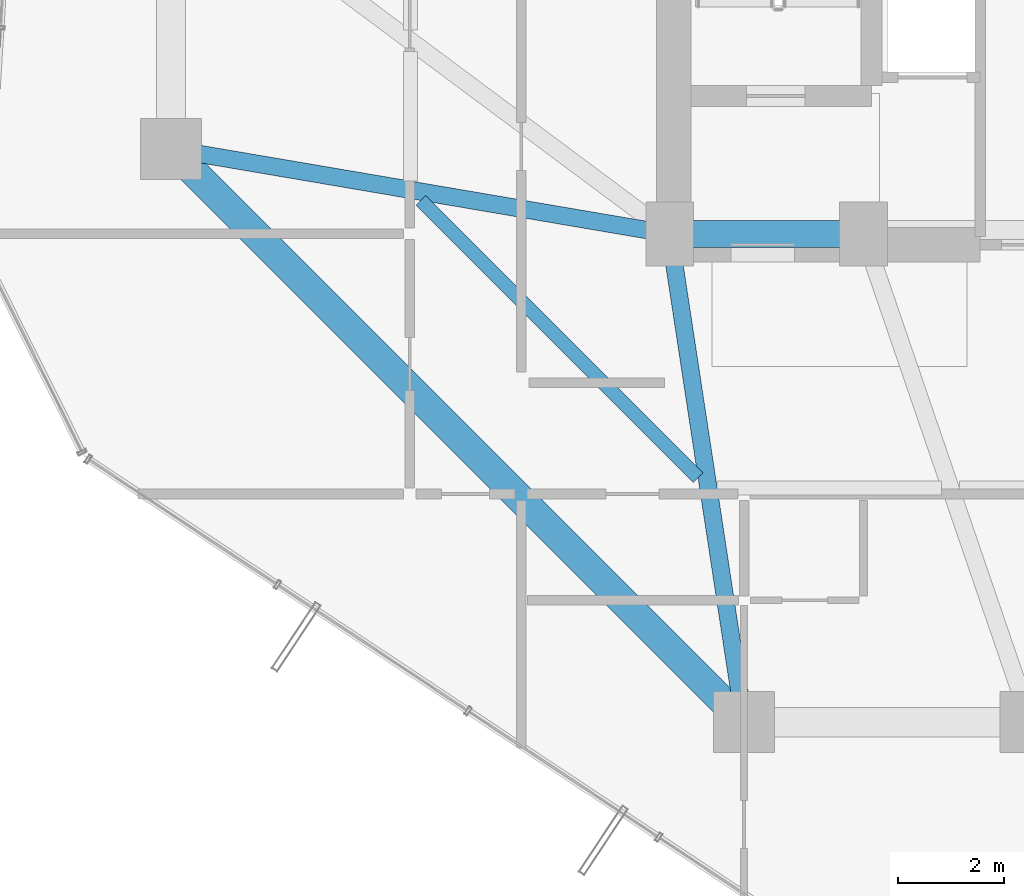
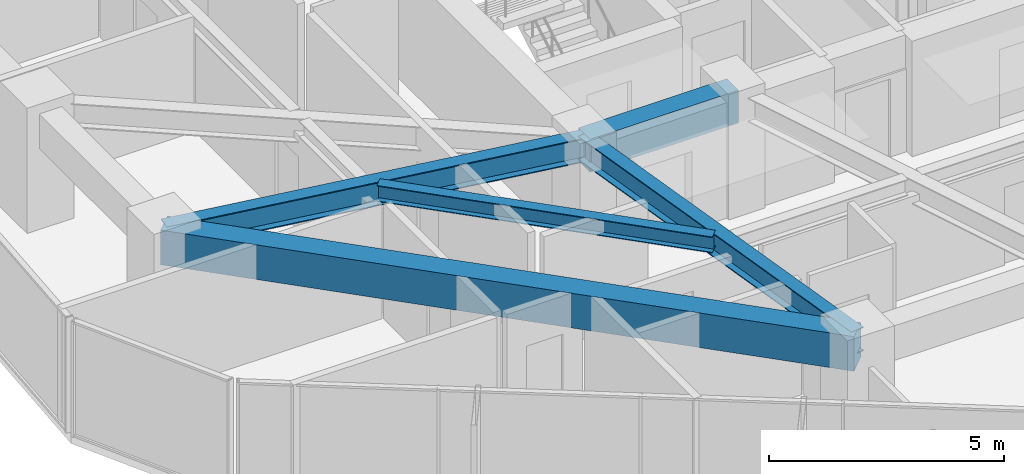
# One storey, part 5 of 30: 5 beams.
"""IFC4 building model written with IfcOpenShell, lengths in metres."""

import ifcopenshell
import ifcopenshell.guid

model = None  # the IFC model being written
_history = None  # IfcOwnerHistory: only IFC2X3 demands one
_inside = {}  # id of a spatial element -> (the spatial element, [elements in it])
_under = {}  # id of a project, library or spatial element -> (it, [spatial elements below it])
_declared = {}  # id of a project -> (the project, [libraries it declares])
_typed = {}  # id of a type object -> (the type object, [elements of that type])
_made_of = {}  # id of a material, layer set ... -> (it, [elements and type objects made of it])


def new_model(schema):
    """Start an empty IFC model of exactly this schema.

    Asked for "IFC4X3", IfcOpenShell would pick the latest addendum, in which some entities
    have other attributes; the version numbers below select the first issue.
    IFC2X3 requires an IfcOwnerHistory on every rooted entity: one is made here for all.
    """
    global model, _history
    if schema == "IFC4X3":
        model = ifcopenshell.file(schema_version=(4, 3, 0, 0))
    else:
        model = ifcopenshell.file(schema=schema)
    _inside.clear()
    _under.clear()
    _declared.clear()
    _typed.clear()
    _made_of.clear()
    _history = None
    if model.schema == "IFC2X3":
        org = make("IfcOrganization", Name="unknown")
        user = make(
            "IfcPersonAndOrganization",
            ThePerson=make("IfcPerson", FamilyName="unknown"),
            TheOrganization=org,
        )
        app = make(
            "IfcApplication",
            ApplicationDeveloper=org,
            Version="unknown",
            ApplicationFullName="unknown",
            ApplicationIdentifier="unknown",
        )
        _history = make(
            "IfcOwnerHistory",
            OwningUser=user,
            OwningApplication=app,
            ChangeAction="ADDED",
            CreationDate=0,
        )
    return model


def make(cls, **values):
    """One entity of the class cls with the attributes given. An attribute that is None is left unset."""
    return model.create_entity(
        cls, **{name: value for name, value in values.items() if value is not None}
    )


def rooted(cls, **values):
    """An entity with a GlobalId (a new one), such as an element, a storey or a relation."""
    return make(cls, GlobalId=ifcopenshell.guid.new(), OwnerHistory=_history, **values)


def si_unit(unit_type, name, prefix=None):
    """IfcSIUnit, for example si_unit("LENGTHUNIT", "METRE", prefix="MILLI")."""
    return make("IfcSIUnit", UnitType=unit_type, Prefix=prefix, Name=name)


def assignment(units):
    """IfcUnitAssignment: the units of a project."""
    return None if units is None else make("IfcUnitAssignment", Units=units)


def point(xyz):
    """IfcCartesianPoint."""
    return None if xyz is None else make("IfcCartesianPoint", Coordinates=xyz)


def direction(xyz):
    """IfcDirection."""
    return None if xyz is None else make("IfcDirection", DirectionRatios=xyz)


def frame(location, z_axis=None, x_axis=None):
    """IfcAxis2Placement3D, a coordinate frame: its origin and axes. An axis left out is left unset."""
    return make(
        "IfcAxis2Placement3D",
        Location=point(location),
        Axis=direction(z_axis),
        RefDirection=direction(x_axis),
    )


def frame_2d(location, x_axis=None):
    """IfcAxis2Placement2D, a coordinate frame in the plane: its origin and x axis."""
    return make(
        "IfcAxis2Placement2D", Location=point(location), RefDirection=direction(x_axis)
    )


def origin():
    """The frame at (0, 0, 0) with its axes left unset."""
    return frame((0.0, 0.0, 0.0))


def origin_2d():
    """The frame at (0, 0) in the plane with its x axis left unset."""
    return frame_2d((0.0, 0.0))


def place(relative_to, where):
    """IfcLocalPlacement: puts the frame where relative to a parent placement (None: the world)."""
    return make(
        "IfcLocalPlacement", PlacementRelTo=relative_to, RelativePlacement=where
    )


def context(
    kind, dimensions, precision=None, world=None, true_north=None, identifier=None
):
    """IfcGeometricRepresentationContext, for example the 3D "Model" context."""
    return make(
        "IfcGeometricRepresentationContext",
        ContextIdentifier=identifier,
        ContextType=kind,
        CoordinateSpaceDimension=dimensions,
        Precision=precision,
        WorldCoordinateSystem=world,
        TrueNorth=true_north,
    )


def subcontext(parent, identifier, kind, view, scale=None):
    """IfcGeometricRepresentationSubContext, for example "Body" below "Model"."""
    return make(
        "IfcGeometricRepresentationSubContext",
        ContextIdentifier=identifier,
        ContextType=kind,
        ParentContext=parent,
        TargetScale=scale,
        TargetView=view,
    )


def project(units=None, contexts=None):
    """IfcProject with its units and contexts."""
    return rooted(
        "IfcProject",
        Name="project",
        RepresentationContexts=contexts,
        UnitsInContext=assignment(units),
    )


def spatial(cls, under=None, at=None, **own):
    """A site, building, storey or space (cls), placed at a placement, below another one or the project."""
    s = rooted(cls, ObjectPlacement=at, **own)
    if under is not None:
        _under.setdefault(under.id(), (under, []))[1].append(s)
    return s


def profile(cls, at=None, kind="AREA", **sizes):
    """A parametric profile (cls). Its sizes go by their IFC names, for example OverallWidth=200.0."""
    return make(cls, ProfileType=kind, Position=at, **sizes)


def rectangle(**sizes):
    """IfcRectangleProfileDef."""
    return profile("IfcRectangleProfileDef", **sizes)


def i_section(**sizes):
    """IfcIShapeProfileDef."""
    return profile("IfcIShapeProfileDef", **sizes)


def extrude(swept, where, along, depth):
    """IfcExtrudedAreaSolid: the profile swept, set in the frame where, extruded along a direction by depth."""
    return make(
        "IfcExtrudedAreaSolid",
        SweptArea=swept,
        Position=where,
        ExtrudedDirection=direction(along),
        Depth=depth,
    )


def shape(context_of_items, identifier, shape_type, items):
    """IfcShapeRepresentation: the items that make up one representation, for example the "Body"."""
    return make(
        "IfcShapeRepresentation",
        ContextOfItems=context_of_items,
        RepresentationIdentifier=identifier,
        RepresentationType=shape_type,
        Items=items,
    )


def material(Name=None, Category=None):
    """IfcMaterial."""
    return make("IfcMaterial", Name=Name, Category=Category)


def material_profile(
    of_material, cross_section, Name=None, Category=None, Priority=None
):
    """IfcMaterialProfile: a cross section and its material."""
    return make(
        "IfcMaterialProfile",
        Name=Name,
        Material=of_material,
        Profile=cross_section,
        Priority=Priority,
        Category=Category,
    )


def profile_set(profiles, Name=None, composite=None):
    """IfcMaterialProfileSet."""
    return make(
        "IfcMaterialProfileSet",
        Name=Name,
        MaterialProfiles=profiles,
        CompositeProfile=composite,
    )


def made_of(thing, what):
    """Note that an element or type object is made of a material, layer set ...; save() writes the relation."""
    if what is not None:
        _made_of.setdefault(what.id(), (what, []))[1].append(thing)
    return thing


def type_object(cls, material=None, **own):
    """A type object (cls), such as IfcWallType, which elements share."""
    return made_of(rooted(cls, **own), material)


def element(
    cls,
    number,
    at=None,
    inside=None,
    cuts=None,
    type_object=None,
    material=None,
    context=None,
    identifier="Body",
    shape_type=None,
    held_by="IfcProductDefinitionShape",
    body=None,
    shapes=None,
    **own,
):
    """One element of the class cls, such as IfcWall. Its Tag is "e" and its number.

    at: its placement. inside: the storey or other place that contains it. cuts: it is an
    opening in that element (IfcRelVoidsElement). A single representation is given by context,
    identifier, shape_type and body (its items); several are given by shapes. held_by: the class
    of the entity that holds the representations. save() writes the other relations.
    """
    e = rooted(cls, Tag="e%d" % number, ObjectPlacement=at, **own)
    if body is not None:
        shapes = [shape(context, identifier, shape_type, body)]
    if shapes is not None:
        e.Representation = make(held_by, Representations=shapes)
    if inside is not None:
        _inside.setdefault(inside.id(), (inside, []))[1].append(e)
    if cuts is not None:
        rooted(
            "IfcRelVoidsElement", RelatingBuildingElement=cuts, RelatedOpeningElement=e
        )
    if type_object is not None:
        _typed.setdefault(type_object.id(), (type_object, []))[1].append(e)
    return made_of(e, material)


def aggregate(whole, parts):
    """IfcRelAggregates: a whole, such as a stair, and the parts it consists of."""
    return rooted("IfcRelAggregates", RelatingObject=whole, RelatedObjects=parts)


def save(model, path):
    """Write the relations noted so far, then the file.

    IfcRelAggregates (storeys below a building ...), IfcRelContainedInSpatialStructure (elements
    in a storey), IfcRelDefinesByType, IfcRelAssociatesMaterial and IfcRelDeclares: one each for
    every whole, place, type object, material and project.
    """
    for whole, parts in _under.values():
        aggregate(whole, parts)
    for where, things in _inside.values():
        rooted(
            "IfcRelContainedInSpatialStructure",
            RelatedElements=things,
            RelatingStructure=where,
        )
    for kind, things in _typed.values():
        rooted("IfcRelDefinesByType", RelatedObjects=things, RelatingType=kind)
    for what, things in _made_of.values():
        rooted("IfcRelAssociatesMaterial", RelatedObjects=things, RelatingMaterial=what)
    for by, libraries in _declared.values():
        rooted("IfcRelDeclares", RelatingContext=by, RelatedDefinitions=libraries)
    model.write(path)


model = new_model("IFC4")

# Units and contexts
model_context = context("Model", 3, precision=1e-05, world=origin(), true_north=direction((0.0, 1.0)))
body_context = subcontext(model_context, "Body", "Model", "MODEL_VIEW")
ifc_project = project(units=[si_unit("LENGTHUNIT", "METRE"), si_unit("AREAUNIT", "SQUARE_METRE"), si_unit("VOLUMEUNIT", "CUBIC_METRE"), si_unit("PLANEANGLEUNIT", "RADIAN"), si_unit("MASSUNIT", "GRAM", prefix="KILO")], contexts=[model_context])

# Site, building, storey
site_placement = place(None, origin())
site = spatial("IfcSite", under=ifc_project, at=site_placement, CompositionType="ELEMENT")
building_placement = place(site_placement, origin())
building = spatial("IfcBuilding", under=site, at=building_placement, Name="Veraguas Prism Commons", CompositionType="ELEMENT")
storey_placement = place(building_placement, frame((0.0, 0.0, 116.5)))
storey = spatial("IfcBuildingStorey", under=building, at=storey_placement, Name="L32", CompositionType="ELEMENT", Elevation=116.5)

# Beams
ifc_material_1 = material(Name="Concrete C50/60", Category="concrete")
ifc_material_profile_1 = material_profile(ifc_material_1, rectangle(XDim=0.5, YDim=0.85009765625, at=origin_2d()), Name="RC500X850")
ifc_profile_set_1 = profile_set([ifc_material_profile_1], Name="Concrete C50/60")
beam_type_1 = type_object("IfcBeamType", Name="Core Coupling Beam RC 500x850", PredefinedType="BEAM", material=ifc_profile_set_1)
beam_1_placement = place(storey_placement, frame((17.199951171875, 17.0, 2.574951171875), z_axis=(1.0, 0.0, 0.0), x_axis=(0.0, 1.0, 0.0)))
element("IfcBeam", 1, at=beam_1_placement, inside=storey, type_object=beam_type_1, Name="Core Coupling Beam L32-CRS1", PredefinedType="BEAM", context=body_context, shape_type="SweptSolid", body=[
    extrude(rectangle(XDim=0.5, YDim=0.85009765625, at=origin_2d()), origin(), (0.0, 0.0, 1.0), 3.650146484375),
])
ifc_material_2 = material(Name="Steel ASTM A992 Grade 50", Category="steel")
ifc_material_profile_2 = material_profile(ifc_material_2, i_section(OverallWidth=0.260986328125, OverallDepth=0.419921875, WebThickness=0.01171875, FlangeThickness=0.019287109375, at=origin_2d()), Name="W410X114")
ifc_profile_set_2 = profile_set([ifc_material_profile_2], Name="Steel ASTM A992 Grade 50")
beam_type_2 = type_object("IfcBeamType", Name="Lower Floor Joist W410x114", PredefinedType="JOIST", material=ifc_profile_set_2)
beam_2_placement = place(storey_placement, frame((12.510009765625, 17.634033203125, 2.7900390625), z_axis=(0.707090260193, -0.707123301794, 0.0), x_axis=(0.707123301794, 0.707090260193, 0.0)))
element("IfcBeam", 2, at=beam_2_placement, inside=storey, type_object=beam_type_2, Name="Composite Floor Joist L32-JS09", PredefinedType="JOIST", context=body_context, shape_type="SweptSolid", body=[
    extrude(i_section(OverallWidth=0.260986328125, OverallDepth=0.419921875, WebThickness=0.01171875, FlangeThickness=0.019287109375, at=origin_2d()), origin(), (0.0, 0.0, 1.0), 7.388916015625),
])
ifc_material_profile_3 = material_profile(ifc_material_1, rectangle(XDim=0.550048828125, YDim=0.89990234375, at=origin_2d()), Name="RC550X900")
ifc_profile_set_3 = profile_set([ifc_material_profile_3], Name="Concrete C50/60")
beam_type_3 = type_object("IfcBeamType", Name="Perimeter Spandrel Lower RC 550x900", PredefinedType="SPANDREL", material=ifc_profile_set_3)
beam_3_placement = place(storey_placement, frame((7.800048828125, 18.60009765625, 2.550048828125), z_axis=(0.707106781187, -0.707106781187, 0.0), x_axis=(0.707106781187, 0.707106781187, 0.0)))
element("IfcBeam", 3, at=beam_3_placement, inside=storey, type_object=beam_type_3, Name="Perimeter Spandrel Beam L32-SP09", PredefinedType="SPANDREL", context=body_context, shape_type="SweptSolid", body=[
    extrude(rectangle(XDim=0.550048828125, YDim=0.89990234375, at=origin_2d()), origin(), (0.0, 0.0, 1.0), 15.273681640625),
])
ifc_material_profile_4 = material_profile(ifc_material_2, i_section(OverallWidth=0.327880859375, OverallDepth=0.6220703125, WebThickness=0.015380859375, FlangeThickness=0.0244140625, at=origin_2d()), Name="W610X195")
ifc_profile_set_4 = profile_set([ifc_material_profile_4], Name="Steel ASTM A992 Grade 50")
beam_type_4 = type_object("IfcBeamType", Name="Zone 2 Radial Girder W610x195", PredefinedType="BEAM", material=ifc_profile_set_4)
beam_4_placement = place(storey_placement, frame((7.800048828125, 18.60009765625, 2.68896484375), z_axis=(0.985819187151, -0.1678109956, 0.0), x_axis=(0.1678109956, 0.985819187151, 0.0)))
element("IfcBeam", 4, at=beam_4_placement, inside=storey, type_object=beam_type_4, Name="Radial Floor Girder L32-RD09", PredefinedType="BEAM", context=body_context, shape_type="SweptSolid", body=[
    extrude(i_section(OverallWidth=0.327880859375, OverallDepth=0.6220703125, WebThickness=0.015380859375, FlangeThickness=0.0244140625, at=origin_2d()), origin(), (0.0, 0.0, 1.0), 9.53515625),
])
beam_5_placement = place(storey_placement, frame((18.60009765625, 7.800048828125, 2.68896484375), z_axis=(-0.150458162136, 0.98861637729, 0.0), x_axis=(-0.98861637729, -0.150458162136, 0.0)))
element("IfcBeam", 5, at=beam_5_placement, inside=storey, type_object=beam_type_4, Name="Radial Floor Girder L32-RD10", PredefinedType="BEAM", context=body_context, shape_type="SweptSolid", body=[
    extrude(i_section(OverallWidth=0.327880859375, OverallDepth=0.6220703125, WebThickness=0.015380859375, FlangeThickness=0.0244140625, at=origin_2d()), origin(), (0.0, 0.0, 1.0), 9.305908203125),
])

save(model, "model.ifc")
